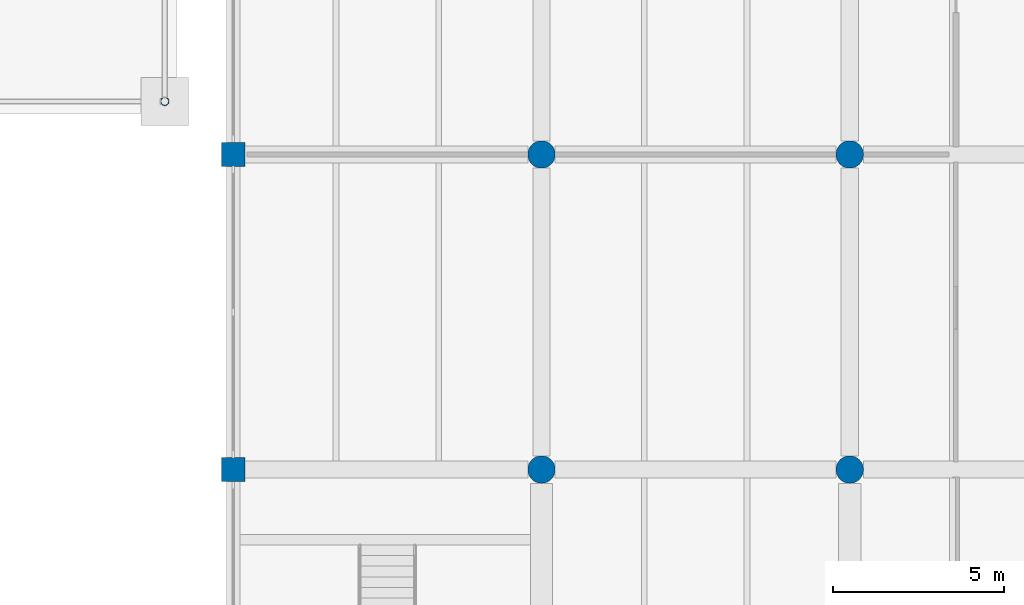
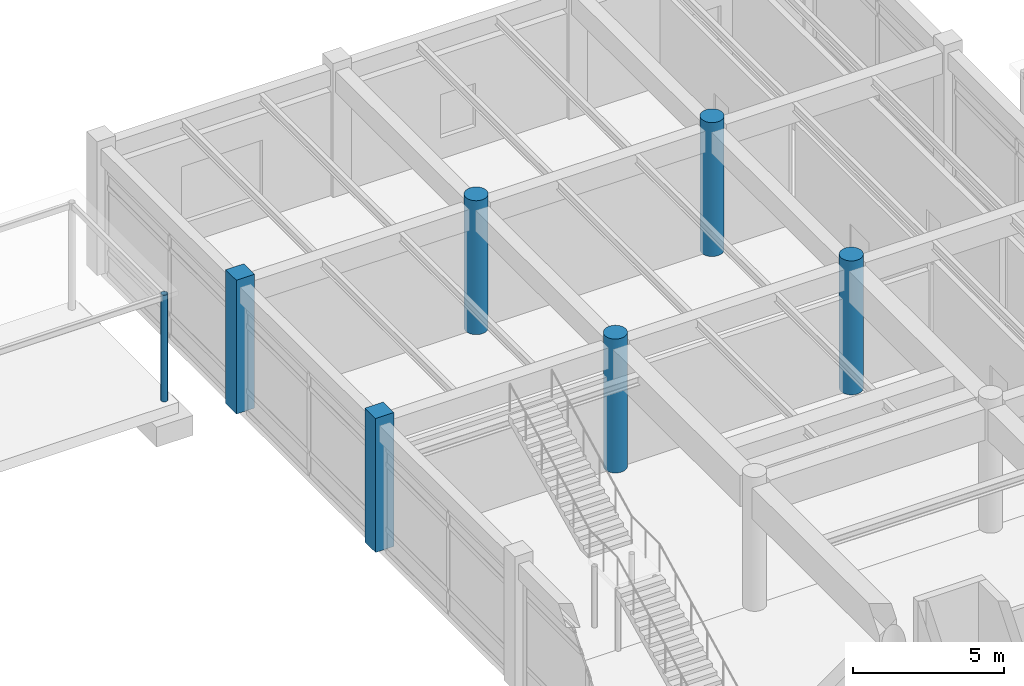
# One storey, part 19 of 76: 7 columns.
"""IFC4 building model written with IfcOpenShell, lengths in metres."""

from ifc_helpers import new_model, si_unit, direction, frame, origin, origin_2d, place, context, subcontext, project, spatial, rectangle, circle, hollow_circle, extrude, material, material_profile, profile_set, type_object, element, save


model = new_model("IFC4")

# Units and contexts
model_context = context("Model", 3, precision=1e-05, world=origin(), true_north=direction((0.0, 1.0)))
body_context = subcontext(model_context, "Body", "Model", "MODEL_VIEW")
ifc_project = project(units=[si_unit("LENGTHUNIT", "METRE"), si_unit("AREAUNIT", "SQUARE_METRE"), si_unit("VOLUMEUNIT", "CUBIC_METRE"), si_unit("PLANEANGLEUNIT", "RADIAN"), si_unit("MASSUNIT", "GRAM", prefix="KILO")], contexts=[model_context])

# Site, building, storey
site_placement = place(None, origin())
site = spatial("IfcSite", under=ifc_project, at=site_placement, CompositionType="ELEMENT")
building_placement = place(site_placement, origin())
building = spatial("IfcBuilding", under=site, at=building_placement, Name="Bozkorgan Art Gallery", CompositionType="ELEMENT")
storey_placement = place(building_placement, origin())
storey = spatial("IfcBuildingStorey", under=building, at=storey_placement, Name="L00", CompositionType="ELEMENT", Elevation=0.0)

# Columns
ifc_material_1 = material(Name="Concrete C40/50", Category="concrete")
ifc_material_profile_1 = material_profile(ifc_material_1, circle(Radius=0.39990234375, at=origin_2d()), Name="RC D800")
ifc_profile_set_1 = profile_set([ifc_material_profile_1], Name="Concrete C40/50")
column_type_1 = type_object("IfcColumnType", Name="COLUMN-C-60", PredefinedType="COLUMN", material=ifc_profile_set_1)
for number, where, z_axis, x_axis, name in (
    (1, (83.0, 84.39990234375, 0.0), (0.0, 0.0, 1.0), (1.0, 0.0, 0.0), "V4 L00 column (83.0, 84.4)"),
    (2, (83.0, 93.60009765625, 0.0), (0.0, 0.0, 1.0), (1.0, 0.0, 0.0), "V4 L00 column (83.0, 93.6)"),
    (3, (92.0, 84.39990234375, 0.0), (0.0, 0.0, 1.0), (1.0, 0.0, 0.0), "V4 L00 column (92.0, 84.4)"),
    (4, (92.0, 93.60009765625, 0.0), (0.0, 0.0, 1.0), (1.0, 0.0, 0.0), "V4 L00 column (92.0, 93.6)"),
):
    element("IfcColumn", number, at=place(storey_placement, frame(where, z_axis=z_axis, x_axis=x_axis)), inside=storey, type_object=column_type_1, Name=name, PredefinedType="COLUMN", context=body_context, shape_type="SweptSolid", body=[
        extrude(circle(Radius=0.39990234375, at=origin_2d()), origin(), (0.0, 0.0, 1.0), 5.39990234375),
    ])
ifc_material_profile_2 = material_profile(ifc_material_1, rectangle(XDim=0.699951171875, YDim=0.699951171875, at=origin_2d()), Name="RC 700x700")
ifc_profile_set_2 = profile_set([ifc_material_profile_2], Name="Concrete C40/50")
column_type_2 = type_object("IfcColumnType", Name="COLUMN-C-73", PredefinedType="COLUMN", material=ifc_profile_set_2)
for number, where, z_axis, x_axis, name in (
    (5, (74.0, 84.39990234375, 0.0), (0.0, 0.0, 1.0), (1.0, 0.0, 0.0), "V4 L00 column (74.0, 84.4)"),
    (6, (74.0, 93.60009765625, 0.0), (0.0, 0.0, 1.0), (1.0, 0.0, 0.0), "V4 L00 column (74.0, 93.6)"),
):
    element("IfcColumn", number, at=place(storey_placement, frame(where, z_axis=z_axis, x_axis=x_axis)), inside=storey, type_object=column_type_2, Name=name, PredefinedType="COLUMN", context=body_context, shape_type="SweptSolid", body=[
        extrude(rectangle(XDim=0.699951171875, YDim=0.699951171875, at=origin_2d()), origin(), (0.0, 0.0, 1.0), 5.39990234375),
    ])
ifc_material_2 = material(Name="Steel S355J2", Category="steel")
ifc_material_profile_3 = material_profile(ifc_material_2, hollow_circle(Radius=0.122314453125, WallThickness=0.010009765625, at=origin_2d()), Name="CHS 244.5x10")
ifc_profile_set_3 = profile_set([ifc_material_profile_3], Name="Steel S355J2")
column_type_3 = type_object("IfcColumnType", Name="COLUMN-WC-87", PredefinedType="COLUMN", material=ifc_profile_set_3)
column_placement = place(storey_placement, frame((72.0, 95.14990234375, 0.0), z_axis=(0.0, 0.0, 1.0), x_axis=(1.0, 0.0, 0.0)))
element("IfcColumn", 7, at=column_placement, inside=storey, type_object=column_type_3, Name="North Sculpture-Court Covered Walk column 2", PredefinedType="COLUMN", context=body_context, shape_type="SweptSolid", body=[
    extrude(hollow_circle(Radius=0.122314453125, WallThickness=0.010009765625, at=origin_2d()), origin(), (0.0, 0.0, 1.0), 4.300048828125),
])

save(model, "model.ifc")
